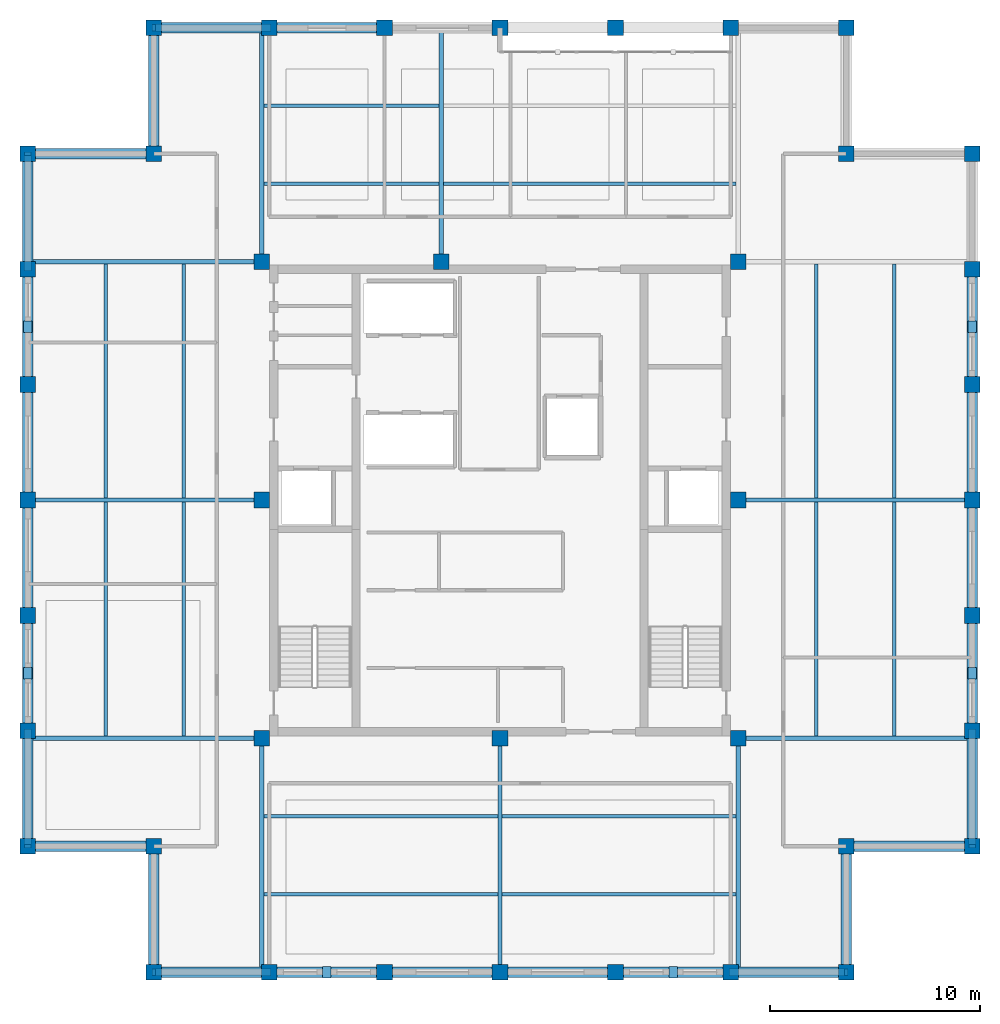
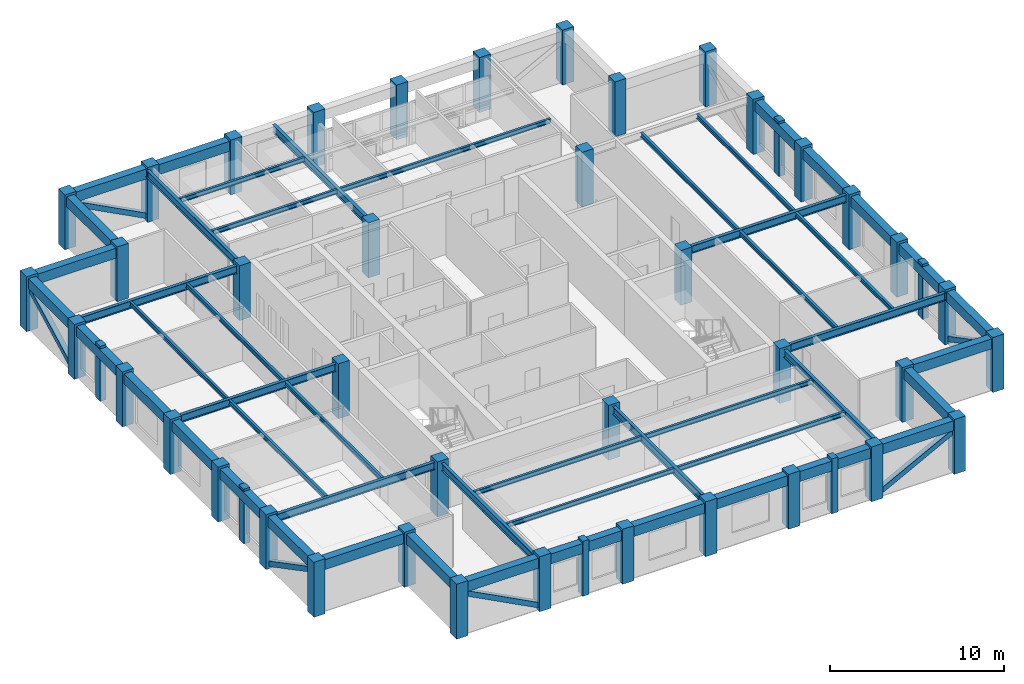
# One storey, part 1 of 9: 50 beams, 40 columns, 12 members.
"""IFC4 building model written with IfcOpenShell, lengths in metres."""

from ifc_helpers import new_model, si_unit, direction, frame, origin, origin_2d, place, context, subcontext, project, spatial, rectangle, hollow_rectangle, i_section, extrude, material, material_profile, profile_set, type_object, element, save


model = new_model("IFC4")

# Units and contexts
model_context = context("Model", 3, precision=1e-05, world=origin(), true_north=direction((0.0, 1.0)))
body_context = subcontext(model_context, "Body", "Model", "MODEL_VIEW")
ifc_project = project(units=[si_unit("LENGTHUNIT", "METRE"), si_unit("AREAUNIT", "SQUARE_METRE"), si_unit("VOLUMEUNIT", "CUBIC_METRE"), si_unit("PLANEANGLEUNIT", "RADIAN"), si_unit("MASSUNIT", "GRAM", prefix="KILO")], contexts=[model_context])

# Site, building, storey
site_placement = place(None, origin())
site = spatial("IfcSite", under=ifc_project, at=site_placement, CompositionType="ELEMENT")
building_placement = place(site_placement, origin())
building = spatial("IfcBuilding", under=site, at=building_placement, Name="Nhamokura Convention Tower", CompositionType="ELEMENT")
storey_placement = place(building_placement, frame((0.0, 0.0, 273.699951171875)))
storey = spatial("IfcBuildingStorey", under=building, at=storey_placement, Name="L67", CompositionType="ELEMENT", Elevation=273.699951171875)

# Columns
ifc_material_1 = material(Name="Concrete C50/60", Category="concrete")
ifc_material_profile_1 = material_profile(ifc_material_1, rectangle(XDim=0.75, YDim=0.75, at=origin_2d()))
ifc_profile_set_1 = profile_set([ifc_material_profile_1], Name="Concrete C50/60")
column_type = type_object("IfcColumnType", Name="TubeColumn_Z4_750", PredefinedType="COLUMN", material=ifc_profile_set_1)
for number, where, z_axis, x_axis, name in (
    (1, (20.64990234375, 20.64990234375, 0.0), (0.0, 0.0, 1.0), (1.0, 0.0, 0.0), "L67 Core Column CC-SW"),
    (2, (32.0, 20.64990234375, 0.0), (0.0, 0.0, 1.0), (1.0, 0.0, 0.0), "L67 Core Column CC-S"),
    (3, (43.35009765625, 20.64990234375, 0.0), (0.0, 0.0, 1.0), (1.0, 0.0, 0.0), "L67 Core Column CC-SE"),
    (4, (43.35009765625, 32.0, 0.0), (0.0, 0.0, 1.0), (1.0, 0.0, 0.0), "L67 Core Column CC-E"),
    (5, (43.35009765625, 43.35009765625, 0.0), (0.0, 0.0, 1.0), (1.0, 0.0, 0.0), "L67 Core Column CC-NE"),
    (6, (29.199951171875, 43.35009765625, 0.0), (0.0, 0.0, 1.0), (1.0, 0.0, 0.0), "L67 Core Column CC-N"),
    (7, (20.64990234375, 43.35009765625, 0.0), (0.0, 0.0, 1.0), (1.0, 0.0, 0.0), "L67 Core Column CC-NW"),
    (8, (20.64990234375, 32.0, 0.0), (0.0, 0.0, 1.0), (1.0, 0.0, 0.0), "L67 Core Column CC-W"),
    (9, (15.5, 9.5, 0.0), (0.0, 0.0, 1.0), (1.0, 0.0, 0.0), "L67 Perimeter Tube Column SW1"),
    (10, (15.5, 15.5, 0.0), (0.0, 0.0, 1.0), (1.0, 0.0, 0.0), "L67 Perimeter Tube Column SW0"),
    (11, (9.5, 15.5, 0.0), (0.0, 0.0, 1.0), (1.0, 0.0, 0.0), "L67 Perimeter Tube Column SW2"),
    (12, (48.5, 9.5, 0.0), (0.0, 0.0, 1.0), (1.0, 0.0, 0.0), "L67 Perimeter Tube Column SE1"),
    (13, (48.5, 15.5, 0.0), (0.0, 0.0, 1.0), (1.0, 0.0, 0.0), "L67 Perimeter Tube Column SE0"),
    (14, (54.5, 15.5, 0.0), (0.0, 0.0, 1.0), (1.0, 0.0, 0.0), "L67 Perimeter Tube Column SE2"),
    (15, (54.5, 48.5, 0.0), (0.0, 0.0, 1.0), (1.0, 0.0, 0.0), "L67 Perimeter Tube Column NE1"),
    (16, (48.5, 48.5, 0.0), (0.0, 0.0, 1.0), (1.0, 0.0, 0.0), "L67 Perimeter Tube Column NE0"),
    (17, (48.5, 54.5, 0.0), (0.0, 0.0, 1.0), (1.0, 0.0, 0.0), "L67 Perimeter Tube Column NE2"),
    (18, (15.5, 54.5, 0.0), (0.0, 0.0, 1.0), (1.0, 0.0, 0.0), "L67 Perimeter Tube Column NW1"),
    (19, (15.5, 48.5, 0.0), (0.0, 0.0, 1.0), (1.0, 0.0, 0.0), "L67 Perimeter Tube Column NW0"),
    (20, (9.5, 48.5, 0.0), (0.0, 0.0, 1.0), (1.0, 0.0, 0.0), "L67 Perimeter Tube Column NW2"),
    (21, (21.0, 9.5, 0.0), (0.0, 0.0, 1.0), (1.0, 0.0, 0.0), "L67 Perimeter Tube Column S1"),
    (22, (21.0, 54.5, 0.0), (0.0, 0.0, 1.0), (1.0, 0.0, 0.0), "L67 Perimeter Tube Column N1"),
    (23, (9.5, 21.0, 0.0), (0.0, 0.0, 1.0), (1.0, 0.0, 0.0), "L67 Perimeter Tube Column W1"),
    (24, (54.5, 21.0, 0.0), (0.0, 0.0, 1.0), (1.0, 0.0, 0.0), "L67 Perimeter Tube Column E1"),
    (25, (26.5, 9.5, 0.0), (0.0, 0.0, 1.0), (1.0, 0.0, 0.0), "L67 Perimeter Tube Column S2"),
    (26, (26.5, 54.5, 0.0), (0.0, 0.0, 1.0), (1.0, 0.0, 0.0), "L67 Perimeter Tube Column N2"),
    (27, (9.5, 26.5, 0.0), (0.0, 0.0, 1.0), (1.0, 0.0, 0.0), "L67 Perimeter Tube Column W2"),
    (28, (54.5, 26.5, 0.0), (0.0, 0.0, 1.0), (1.0, 0.0, 0.0), "L67 Perimeter Tube Column E2"),
    (29, (32.0, 9.5, 0.0), (0.0, 0.0, 1.0), (1.0, 0.0, 0.0), "L67 Perimeter Tube Column S3"),
    (30, (32.0, 54.5, 0.0), (0.0, 0.0, 1.0), (1.0, 0.0, 0.0), "L67 Perimeter Tube Column N3"),
    (31, (9.5, 32.0, 0.0), (0.0, 0.0, 1.0), (1.0, 0.0, 0.0), "L67 Perimeter Tube Column W3"),
    (32, (54.5, 32.0, 0.0), (0.0, 0.0, 1.0), (1.0, 0.0, 0.0), "L67 Perimeter Tube Column E3"),
    (33, (37.5, 9.5, 0.0), (0.0, 0.0, 1.0), (1.0, 0.0, 0.0), "L67 Perimeter Tube Column S4"),
    (34, (37.5, 54.5, 0.0), (0.0, 0.0, 1.0), (1.0, 0.0, 0.0), "L67 Perimeter Tube Column N4"),
    (35, (9.5, 37.5, 0.0), (0.0, 0.0, 1.0), (1.0, 0.0, 0.0), "L67 Perimeter Tube Column W4"),
    (36, (54.5, 37.5, 0.0), (0.0, 0.0, 1.0), (1.0, 0.0, 0.0), "L67 Perimeter Tube Column E4"),
    (37, (43.0, 9.5, 0.0), (0.0, 0.0, 1.0), (1.0, 0.0, 0.0), "L67 Perimeter Tube Column S5"),
    (38, (43.0, 54.5, 0.0), (0.0, 0.0, 1.0), (1.0, 0.0, 0.0), "L67 Perimeter Tube Column N5"),
    (39, (9.5, 43.0, 0.0), (0.0, 0.0, 1.0), (1.0, 0.0, 0.0), "L67 Perimeter Tube Column W5"),
    (40, (54.5, 43.0, 0.0), (0.0, 0.0, 1.0), (1.0, 0.0, 0.0), "L67 Perimeter Tube Column E5"),
):
    element("IfcColumn", number, at=place(storey_placement, frame(where, z_axis=z_axis, x_axis=x_axis)), inside=storey, type_object=column_type, Name=name, PredefinedType="COLUMN", context=body_context, shape_type="SweptSolid", body=[
        extrude(rectangle(XDim=0.75, YDim=0.75, at=origin_2d()), origin(), (0.0, 0.0, 1.0), 3.85009765625),
    ])

# Members
ifc_material_2 = material(Name="Bronze-pigmented precast concrete C45/55", Category="concrete")
ifc_material_profile_2 = material_profile(ifc_material_2, rectangle(XDim=0.39990234375, YDim=0.550048828125, at=origin_2d()))
ifc_profile_set_2 = profile_set([ifc_material_profile_2], Name="Bronze-pigmented precast concrete C45/55")
member_type_1 = type_object("IfcMemberType", Name="BronzePilaster_550", PredefinedType="USERDEFINED", material=ifc_profile_set_2)
for number, where, z_axis, x_axis, name in (
    (41, (23.75, 9.5, 0.0), (0.0, 0.0, 1.0), (1.0, 0.0, 0.0), "L67 Engaged Frame Pilaster SOUTH 1"),
    (42, (40.25, 9.5, 0.0), (0.0, 0.0, 1.0), (1.0, 0.0, 0.0), "L67 Engaged Frame Pilaster SOUTH 4"),
    (43, (9.5, 23.75, 0.0), (0.0, 0.0, 1.0), (1.0, 0.0, 0.0), "L67 Engaged Frame Pilaster WEST 1"),
    (44, (9.5, 40.25, 0.0), (0.0, 0.0, 1.0), (1.0, 0.0, 0.0), "L67 Engaged Frame Pilaster WEST 4"),
    (45, (54.5, 23.75, 0.0), (0.0, 0.0, 1.0), (1.0, 0.0, 0.0), "L67 Engaged Frame Pilaster EAST 1"),
    (46, (54.5, 40.25, 0.0), (0.0, 0.0, 1.0), (1.0, 0.0, 0.0), "L67 Engaged Frame Pilaster EAST 4"),
):
    element("IfcMember", number, at=place(storey_placement, frame(where, z_axis=z_axis, x_axis=x_axis)), inside=storey, type_object=member_type_1, Name=name, ObjectType="PILASTER_TRIM", PredefinedType="USERDEFINED", context=body_context, shape_type="SweptSolid", body=[
        extrude(rectangle(XDim=0.39990234375, YDim=0.550048828125, at=origin_2d()), origin(), (0.0, 0.0, 1.0), 3.85009765625),
    ])

# Beams
ifc_material_3 = material(Name="Steel ASTM A992 Gr 50", Category="steel")
ifc_material_profile_3 = material_profile(ifc_material_3, i_section(OverallWidth=0.166015625, OverallDepth=0.31298828125, WebThickness=0.006591796875, FlangeThickness=0.01123046875, at=origin_2d()))
ifc_profile_set_3 = profile_set([ifc_material_profile_3], Name="Steel ASTM A992 Gr 50")
beam_type_1 = type_object("IfcBeamType", Name="FloorJoist_W310X45", PredefinedType="JOIST", material=ifc_profile_set_3)
for number, where, z_axis, x_axis, name in (
    (47, (20.75244140625, 13.216796875, 3.528564453125), (1.0, 0.0, 0.0), (0.0, 1.0, 0.0), "L67 Composite Floor Joist S1A"),
    (48, (32.1025390625, 13.216796875, 3.528564453125), (1.0, 0.0, 0.0), (0.0, 1.0, 0.0), "L67 Composite Floor Joist S1B"),
    (49, (20.75244140625, 16.933349609375, 3.528564453125), (1.0, 0.0, 0.0), (0.0, 1.0, 0.0), "L67 Composite Floor Joist S2A"),
    (50, (32.1025390625, 16.933349609375, 3.528564453125), (1.0, 0.0, 0.0), (0.0, 1.0, 0.0), "L67 Composite Floor Joist S2B"),
):
    element("IfcBeam", number, at=place(storey_placement, frame(where, z_axis=z_axis, x_axis=x_axis)), inside=storey, type_object=beam_type_1, Name=name, PredefinedType="JOIST", context=body_context, shape_type="SweptSolid", body=[
        extrude(i_section(OverallWidth=0.166015625, OverallDepth=0.31298828125, WebThickness=0.006591796875, FlangeThickness=0.01123046875, at=origin_2d()), origin(), (0.0, 0.0, 1.0), 11.14501953125),
    ])
beam_1_placement = place(storey_placement, frame((20.75244140625, 47.066650390625, 3.528564453125), z_axis=(1.0, 0.0, 0.0), x_axis=(0.0, 1.0, 0.0)))
element("IfcBeam", 51, at=beam_1_placement, inside=storey, type_object=beam_type_1, Name="L67 Composite Floor Joist N1A", PredefinedType="JOIST", context=body_context, shape_type="SweptSolid", body=[
    extrude(i_section(OverallWidth=0.166015625, OverallDepth=0.31298828125, WebThickness=0.006591796875, FlangeThickness=0.01123046875, at=origin_2d()), origin(), (0.0, 0.0, 1.0), 8.344970703125),
])
beam_2_placement = place(storey_placement, frame((29.302490234375, 47.066650390625, 3.528564453125), z_axis=(1.0, 0.0, 0.0), x_axis=(0.0, 1.0, 0.0)))
element("IfcBeam", 52, at=beam_2_placement, inside=storey, type_object=beam_type_1, Name="L67 Composite Floor Joist N1B", PredefinedType="JOIST", context=body_context, shape_type="SweptSolid", body=[
    extrude(i_section(OverallWidth=0.166015625, OverallDepth=0.31298828125, WebThickness=0.006591796875, FlangeThickness=0.01123046875, at=origin_2d()), origin(), (0.0, 0.0, 1.0), 13.945068359375),
])
beam_3_placement = place(storey_placement, frame((20.75244140625, 50.783203125, 3.528564453125), z_axis=(1.0, 0.0, 0.0), x_axis=(0.0, 1.0, 0.0)))
element("IfcBeam", 53, at=beam_3_placement, inside=storey, type_object=beam_type_1, Name="L67 Composite Floor Joist N2A", PredefinedType="JOIST", context=body_context, shape_type="SweptSolid", body=[
    extrude(i_section(OverallWidth=0.166015625, OverallDepth=0.31298828125, WebThickness=0.006591796875, FlangeThickness=0.01123046875, at=origin_2d()), origin(), (0.0, 0.0, 1.0), 8.344970703125),
])
for number, where, z_axis, x_axis, name in (
    (54, (13.216796875, 20.75244140625, 3.528564453125), (0.0, 1.0, 0.0), (-1.0, 0.0, 0.0), "L67 Composite Floor Joist W1A"),
    (55, (13.216796875, 32.1025390625, 3.528564453125), (0.0, 1.0, 0.0), (-1.0, 0.0, 0.0), "L67 Composite Floor Joist W1B"),
    (56, (16.933349609375, 20.75244140625, 3.528564453125), (0.0, 1.0, 0.0), (-1.0, 0.0, 0.0), "L67 Composite Floor Joist W2A"),
    (57, (16.933349609375, 32.1025390625, 3.528564453125), (0.0, 1.0, 0.0), (-1.0, 0.0, 0.0), "L67 Composite Floor Joist W2B"),
    (58, (47.066650390625, 20.75244140625, 3.528564453125), (0.0, 1.0, 0.0), (-1.0, 0.0, 0.0), "L67 Composite Floor Joist E1A"),
    (59, (47.066650390625, 32.1025390625, 3.528564453125), (0.0, 1.0, 0.0), (-1.0, 0.0, 0.0), "L67 Composite Floor Joist E1B"),
    (60, (50.783203125, 20.75244140625, 3.528564453125), (0.0, 1.0, 0.0), (-1.0, 0.0, 0.0), "L67 Composite Floor Joist E2A"),
    (61, (50.783203125, 32.1025390625, 3.528564453125), (0.0, 1.0, 0.0), (-1.0, 0.0, 0.0), "L67 Composite Floor Joist E2B"),
):
    element("IfcBeam", number, at=place(storey_placement, frame(where, z_axis=z_axis, x_axis=x_axis)), inside=storey, type_object=beam_type_1, Name=name, PredefinedType="JOIST", context=body_context, shape_type="SweptSolid", body=[
        extrude(i_section(OverallWidth=0.166015625, OverallDepth=0.31298828125, WebThickness=0.006591796875, FlangeThickness=0.01123046875, at=origin_2d()), origin(), (0.0, 0.0, 1.0), 11.14501953125),
    ])
ifc_material_4 = material(Name="Steel ASTM A992 Gr 50", Category="steel")
ifc_material_profile_4 = material_profile(ifc_material_4, i_section(OverallWidth=0.208984375, OverallDepth=0.532958984375, WebThickness=0.01025390625, FlangeThickness=0.015625, at=origin_2d()))
ifc_profile_set_4 = profile_set([ifc_material_profile_4], Name="Steel ASTM A992 Gr 50")
beam_type_2 = type_object("IfcBeamType", Name="PrimaryGirder_W530X92", PredefinedType="BEAM", material=ifc_profile_set_4)
for number, where, z_axis, x_axis, name in (
    (62, (20.64990234375, 9.5, 3.41845703125), (0.0, 1.0, 0.0), (-1.0, 0.0, 0.0), "L67 Primary Floor Girder PG-S1"),
    (63, (32.0, 9.5, 3.41845703125), (0.0, 1.0, 0.0), (-1.0, 0.0, 0.0), "L67 Primary Floor Girder PG-S2"),
    (64, (43.35009765625, 9.5, 3.41845703125), (0.0, 1.0, 0.0), (-1.0, 0.0, 0.0), "L67 Primary Floor Girder PG-S3"),
    (65, (20.64990234375, 43.35009765625, 3.41845703125), (0.0, 1.0, 0.0), (-1.0, 0.0, 0.0), "L67 Primary Floor Girder PG-N1"),
    (66, (29.199951171875, 43.35009765625, 3.41845703125), (0.0, 1.0, 0.0), (-1.0, 0.0, 0.0), "L67 Primary Floor Girder PG-N2"),
    (67, (9.5, 20.64990234375, 3.41845703125), (1.0, 0.0, 0.0), (0.0, 1.0, 0.0), "L67 Primary Floor Girder PG-W1"),
    (68, (9.5, 32.0, 3.41845703125), (1.0, 0.0, 0.0), (0.0, 1.0, 0.0), "L67 Primary Floor Girder PG-W2"),
    (69, (9.5, 43.35009765625, 3.41845703125), (1.0, 0.0, 0.0), (0.0, 1.0, 0.0), "L67 Primary Floor Girder PG-W3"),
    (70, (43.35009765625, 20.64990234375, 3.41845703125), (1.0, 0.0, 0.0), (0.0, 1.0, 0.0), "L67 Primary Floor Girder PG-E1"),
    (71, (43.35009765625, 32.0, 3.41845703125), (1.0, 0.0, 0.0), (0.0, 1.0, 0.0), "L67 Primary Floor Girder PG-E2"),
):
    element("IfcBeam", number, at=place(storey_placement, frame(where, z_axis=z_axis, x_axis=x_axis)), inside=storey, type_object=beam_type_2, Name=name, PredefinedType="BEAM", context=body_context, shape_type="SweptSolid", body=[
        extrude(i_section(OverallWidth=0.208984375, OverallDepth=0.532958984375, WebThickness=0.01025390625, FlangeThickness=0.015625, at=origin_2d()), origin(), (0.0, 0.0, 1.0), 11.14990234375),
    ])

# Members
ifc_material_5 = material(Name="Steel ASTM A572 Gr 50", Category="steel")
ifc_material_profile_5 = material_profile(ifc_material_5, hollow_rectangle(XDim=0.35009765625, YDim=0.35009765625, WallThickness=0.01611328125, at=origin_2d()))
ifc_profile_set_5 = profile_set([ifc_material_profile_5], Name="Steel ASTM A572 Gr 50")
member_type_2 = type_object("IfcMemberType", Name="TubeBrace_HSS350", PredefinedType="BRACE", material=ifc_profile_set_5)
for number, where, z_axis, x_axis, name in (
    (72, (21.0, 9.5, 0.150146484375), (-0.885562865764, 0.0, 0.464519548328), (0.0, -1.0, 0.0), "L67 Perimeter Tube Brace SOUTH Bay 0"),
    (73, (43.0, 9.5, 0.150146484375), (0.885562865764, 0.0, 0.464519548328), (0.0, 1.0, 0.0), "L67 Perimeter Tube Brace SOUTH Bay 5"),
    (74, (21.0, 54.5, 0.150146484375), (-0.885562865764, 0.0, 0.464519548328), (0.0, -1.0, 0.0), "L67 Perimeter Tube Brace NORTH Bay 0"),
    (75, (9.5, 21.0, 0.150146484375), (0.0, -0.885562865764, 0.464519548328), (1.0, 0.0, 0.0), "L67 Perimeter Tube Brace WEST Bay 0"),
    (76, (9.5, 43.0, 0.150146484375), (0.0, 0.885562865764, 0.464519548328), (-1.0, 0.0, 0.0), "L67 Perimeter Tube Brace WEST Bay 5"),
    (77, (54.5, 21.0, 0.150146484375), (0.0, -0.885562865764, 0.464519548328), (1.0, 0.0, 0.0), "L67 Perimeter Tube Brace EAST Bay 0"),
):
    element("IfcMember", number, at=place(storey_placement, frame(where, z_axis=z_axis, x_axis=x_axis)), inside=storey, type_object=member_type_2, Name=name, PredefinedType="BRACE", context=body_context, shape_type="SweptSolid", body=[
        extrude(hollow_rectangle(XDim=0.35009765625, YDim=0.35009765625, WallThickness=0.01611328125, at=origin_2d()), origin(), (0.0, 0.0, 1.0), 6.210693359375),
    ])

# Beams
ifc_material_6 = material(Name="Concrete C50/60", Category="concrete")
ifc_material_profile_6 = material_profile(ifc_material_6, rectangle(XDim=0.5, YDim=0.699951171875, at=origin_2d()))
ifc_profile_set_6 = profile_set([ifc_material_profile_6], Name="Concrete C50/60")
beam_type_3 = type_object("IfcBeamType", Name="TubeSpandrel_700", PredefinedType="SPANDREL", material=ifc_profile_set_6)
for number, where, z_axis, x_axis, name in (
    (78, (15.5, 9.5, 3.3349609375), (1.0, 0.0, 0.0), (0.0, 1.0, 0.0), "L67 Perimeter Spandrel SOUTH 1"),
    (79, (21.0, 9.5, 3.3349609375), (1.0, 0.0, 0.0), (0.0, 1.0, 0.0), "L67 Perimeter Spandrel SOUTH 2"),
    (80, (26.5, 9.5, 3.3349609375), (1.0, 0.0, 0.0), (0.0, 1.0, 0.0), "L67 Perimeter Spandrel SOUTH 3"),
    (81, (32.0, 9.5, 3.3349609375), (1.0, 0.0, 0.0), (0.0, 1.0, 0.0), "L67 Perimeter Spandrel SOUTH 4"),
    (82, (37.5, 9.5, 3.3349609375), (1.0, 0.0, 0.0), (0.0, 1.0, 0.0), "L67 Perimeter Spandrel SOUTH 5"),
    (83, (43.0, 9.5, 3.3349609375), (1.0, 0.0, 0.0), (0.0, 1.0, 0.0), "L67 Perimeter Spandrel SOUTH 6"),
    (84, (15.5, 54.5, 3.3349609375), (1.0, 0.0, 0.0), (0.0, 1.0, 0.0), "L67 Perimeter Spandrel NORTH 1"),
    (85, (21.0, 54.5, 3.3349609375), (1.0, 0.0, 0.0), (0.0, 1.0, 0.0), "L67 Perimeter Spandrel NORTH 2"),
    (86, (9.5, 15.5, 3.3349609375), (0.0, 1.0, 0.0), (-1.0, 0.0, 0.0), "L67 Perimeter Spandrel WEST 1"),
    (87, (9.5, 21.0, 3.3349609375), (0.0, 1.0, 0.0), (-1.0, 0.0, 0.0), "L67 Perimeter Spandrel WEST 2"),
    (88, (9.5, 26.5, 3.3349609375), (0.0, 1.0, 0.0), (-1.0, 0.0, 0.0), "L67 Perimeter Spandrel WEST 3"),
    (89, (9.5, 32.0, 3.3349609375), (0.0, 1.0, 0.0), (-1.0, 0.0, 0.0), "L67 Perimeter Spandrel WEST 4"),
    (90, (9.5, 37.5, 3.3349609375), (0.0, 1.0, 0.0), (-1.0, 0.0, 0.0), "L67 Perimeter Spandrel WEST 5"),
    (91, (9.5, 43.0, 3.3349609375), (0.0, 1.0, 0.0), (-1.0, 0.0, 0.0), "L67 Perimeter Spandrel WEST 6"),
    (92, (54.5, 15.5, 3.3349609375), (0.0, 1.0, 0.0), (-1.0, 0.0, 0.0), "L67 Perimeter Spandrel EAST 1"),
    (93, (54.5, 21.0, 3.3349609375), (0.0, 1.0, 0.0), (-1.0, 0.0, 0.0), "L67 Perimeter Spandrel EAST 2"),
    (94, (54.5, 26.5, 3.3349609375), (0.0, 1.0, 0.0), (-1.0, 0.0, 0.0), "L67 Perimeter Spandrel EAST 3"),
    (95, (54.5, 32.0, 3.3349609375), (0.0, 1.0, 0.0), (-1.0, 0.0, 0.0), "L67 Perimeter Spandrel EAST 4"),
    (96, (54.5, 37.5, 3.3349609375), (0.0, 1.0, 0.0), (-1.0, 0.0, 0.0), "L67 Perimeter Spandrel EAST 5"),
):
    element("IfcBeam", number, at=place(storey_placement, frame(where, z_axis=z_axis, x_axis=x_axis)), inside=storey, type_object=beam_type_3, Name=name, PredefinedType="SPANDREL", context=body_context, shape_type="SweptSolid", body=[
        extrude(rectangle(XDim=0.5, YDim=0.699951171875, at=origin_2d()), origin(), (0.0, 0.0, 1.0), 5.5),
    ])
for number, where, z_axis, x_axis, name in (
    (97, (15.5, 9.5, 3.3349609375), (0.0, 1.0, 0.0), (-1.0, 0.0, 0.0), "L67 Notch Spandrel SW1"),
    (98, (15.5, 15.5, 3.3349609375), (-1.0, 0.0, 0.0), (0.0, -1.0, 0.0), "L67 Notch Spandrel SW2"),
    (99, (48.5, 9.5, 3.3349609375), (0.0, 1.0, 0.0), (-1.0, 0.0, 0.0), "L67 Notch Spandrel SE1"),
    (100, (48.5, 15.5, 3.3349609375), (1.0, 0.0, 0.0), (0.0, 1.0, 0.0), "L67 Notch Spandrel SE2"),
    (101, (15.5, 54.5, 3.3349609375), (0.0, -1.0, 0.0), (1.0, 0.0, 0.0), "L67 Notch Spandrel NW1"),
    (102, (15.5, 48.5, 3.3349609375), (-1.0, 0.0, 0.0), (0.0, -1.0, 0.0), "L67 Notch Spandrel NW2"),
):
    element("IfcBeam", number, at=place(storey_placement, frame(where, z_axis=z_axis, x_axis=x_axis)), inside=storey, type_object=beam_type_3, Name=name, PredefinedType="SPANDREL", context=body_context, shape_type="SweptSolid", body=[
        extrude(rectangle(XDim=0.5, YDim=0.699951171875, at=origin_2d()), origin(), (0.0, 0.0, 1.0), 6.0),
    ])

save(model, "model.ifc")
